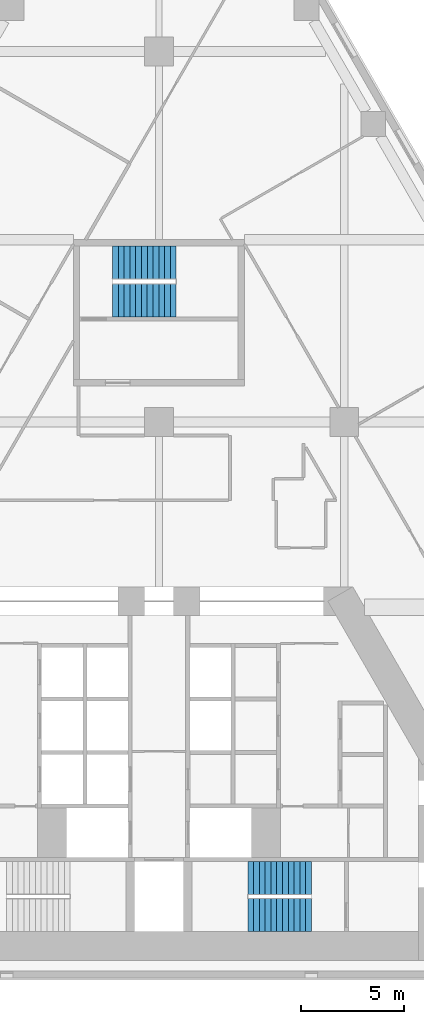
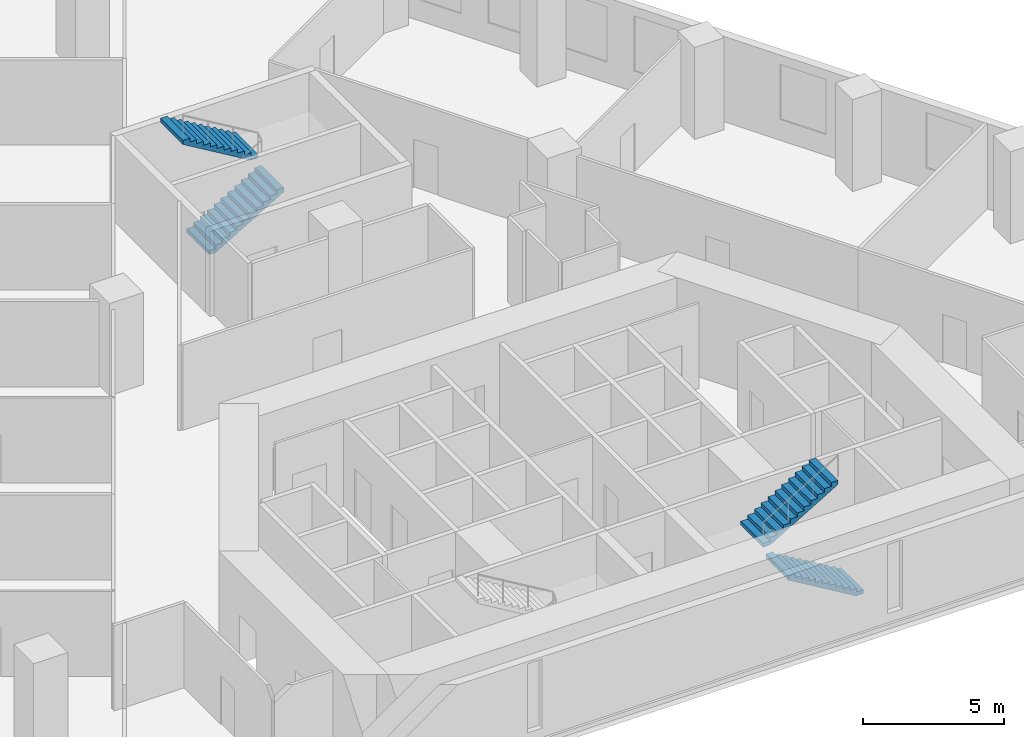
# One storey, part 8 of 9: 4 stair flights, 2 elements without a shape of their own.
"""IFC4 building model written with IfcOpenShell, lengths in metres."""

from ifc_helpers import new_model, si_unit, direction, frame, origin, place, context, subcontext, project, spatial, polyline, outline, extrude, material, type_object, element, aggregate, save


model = new_model("IFC4")

# Units and contexts
model_context = context("Model", 3, precision=1e-05, world=origin(), true_north=direction((0.0, 1.0)))
body_context = subcontext(model_context, "Body", "Model", "MODEL_VIEW")
ifc_project = project(units=[si_unit("LENGTHUNIT", "METRE"), si_unit("AREAUNIT", "SQUARE_METRE"), si_unit("VOLUMEUNIT", "CUBIC_METRE"), si_unit("PLANEANGLEUNIT", "RADIAN"), si_unit("MASSUNIT", "GRAM", prefix="KILO")], contexts=[model_context])

# Site, building, storey
site_placement = place(None, origin())
site = spatial("IfcSite", under=ifc_project, at=site_placement, CompositionType="ELEMENT")
building_placement = place(site_placement, origin())
building = spatial("IfcBuilding", under=site, at=building_placement, Name="Fogline Exchange Tower", CompositionType="ELEMENT")
storey_placement = place(building_placement, frame((0.0, 0.0, 76.89990234375)))
storey = spatial("IfcBuildingStorey", under=building, at=storey_placement, Name="L16", CompositionType="ELEMENT", Elevation=76.89990234375)

# Stair, stair flights
ifc_material = material(Name="Concrete C40", Category="concrete")
stair_type = type_object("IfcStairType", Name="STR24-1667", PredefinedType="HALF_TURN_STAIR", material=ifc_material)
stair_1_placement = place(storey_placement, origin())
stair_1 = element("IfcStair", 1, at=stair_1_placement, inside=storey, type_object=stair_type, Name="Stair ST2", PredefinedType="HALF_TURN_STAIR")
stair_flight_type = type_object("IfcStairFlightType", Name="SF12-1667", PredefinedType="STRAIGHT", material=ifc_material)
stair_flight_1_placement = place(storey_placement, frame((7.39990234375, 3.050048828125, 0.0), z_axis=(0.0, 0.0, 1.0), x_axis=(-1.0, 0.0, 0.0)))
stair_flight_1 = element("IfcStairFlight", 2, at=stair_flight_1_placement, type_object=stair_flight_type, Name="ST2 flight 1", NumberOfRisers=12, NumberOfTreads=11, PredefinedType="STRAIGHT", RiserHeight=0.166666667, TreadLength=0.28, context=body_context, shape_type="SweptSolid", body=[
    extrude(outline(polyline([(0.0, 0.0), (0.0, 0.166748046875), (0.280029296875, 0.166748046875), (0.280029296875, 0.333251953125), (0.56005859375, 0.333251953125), (0.56005859375, 0.5), (0.840087890625, 0.5), (0.840087890625, 0.666748046875), (1.1201171875, 0.666748046875), (1.1201171875, 0.833251953125), (1.39990234375, 0.833251953125), (1.39990234375, 1.0), (1.679931640625, 1.0), (1.679931640625, 1.166748046875), (1.9599609375, 1.166748046875), (1.9599609375, 1.333251953125), (2.239990234375, 1.333251953125), (2.239990234375, 1.5), (2.52001953125, 1.5), (2.52001953125, 1.666748046875), (2.800048828125, 1.666748046875), (2.800048828125, 1.833251953125), (3.080078125, 1.833251953125), (3.080078125, 2.0), (3.080078125, 1.658935546875), (0.29296875, 0.0), (0.0, 0.0)])), frame((0.0, 0.800048828125, 0.0), z_axis=(0.0, -1.0, 0.0), x_axis=(1.0, 0.0, 0.0)), (0.0, 0.0, 1.0), 1.60009765625),
])
stair_flight_2_placement = place(storey_placement, frame((4.320068359375, 4.85009765625, 2.0), z_axis=(0.0, 0.0, 1.0), x_axis=(1.0, 0.0, 0.0)))
stair_flight_2 = element("IfcStairFlight", 3, at=stair_flight_2_placement, type_object=stair_flight_type, Name="ST2 flight 2", NumberOfRisers=12, NumberOfTreads=11, PredefinedType="STRAIGHT", RiserHeight=0.166666667, TreadLength=0.28, context=body_context, shape_type="SweptSolid", body=[
    extrude(outline(polyline([(0.0, 0.0), (0.0, 0.166748046875), (0.280029296875, 0.166748046875), (0.280029296875, 0.333251953125), (0.56005859375, 0.333251953125), (0.56005859375, 0.5), (0.840087890625, 0.5), (0.840087890625, 0.666748046875), (1.1201171875, 0.666748046875), (1.1201171875, 0.833251953125), (1.39990234375, 0.833251953125), (1.39990234375, 1.0), (1.679931640625, 1.0), (1.679931640625, 1.166748046875), (1.9599609375, 1.166748046875), (1.9599609375, 1.333251953125), (2.239990234375, 1.333251953125), (2.239990234375, 1.5), (2.52001953125, 1.5), (2.52001953125, 1.666748046875), (2.800048828125, 1.666748046875), (2.800048828125, 1.833251953125), (3.080078125, 1.833251953125), (3.080078125, 2.0), (3.080078125, 1.658935546875), (0.29296875, 0.0), (0.0, 0.0)])), frame((0.0, 0.800048828125, 0.0), z_axis=(0.0, -1.0, 0.0), x_axis=(1.0, 0.0, 0.0)), (0.0, 0.0, 1.0), 1.60009765625),
])
aggregate(stair_1, [stair_flight_1, stair_flight_2])

stair_2_placement = place(storey_placement, origin())
stair_2 = element("IfcStair", 4, at=stair_2_placement, inside=storey, type_object=stair_type, Name="Stair ST3", PredefinedType="HALF_TURN_STAIR")
stair_flight_3_placement = place(storey_placement, frame((-2.25, 32.906982421875, 0.0), z_axis=(0.0, 0.0, 1.0), x_axis=(1.0, 0.0, 0.0)))
stair_flight_3 = element("IfcStairFlight", 5, at=stair_flight_3_placement, type_object=stair_flight_type, Name="ST3 flight 1", NumberOfRisers=12, NumberOfTreads=11, PredefinedType="STRAIGHT", RiserHeight=0.166666667, TreadLength=0.28, context=body_context, shape_type="SweptSolid", body=[
    extrude(outline(polyline([(0.0, 0.0), (0.0, 0.166748046875), (0.280029296875, 0.166748046875), (0.280029296875, 0.333251953125), (0.56005859375, 0.333251953125), (0.56005859375, 0.5), (0.840087890625, 0.5), (0.840087890625, 0.666748046875), (1.1201171875, 0.666748046875), (1.1201171875, 0.833251953125), (1.39990234375, 0.833251953125), (1.39990234375, 1.0), (1.679931640625, 1.0), (1.679931640625, 1.166748046875), (1.9599609375, 1.166748046875), (1.9599609375, 1.333251953125), (2.239990234375, 1.333251953125), (2.239990234375, 1.5), (2.52001953125, 1.5), (2.52001953125, 1.666748046875), (2.800048828125, 1.666748046875), (2.800048828125, 1.833251953125), (3.080078125, 1.833251953125), (3.080078125, 2.0), (3.080078125, 1.658935546875), (0.29296875, 0.0), (0.0, 0.0)])), frame((0.0, 0.800048828125, 0.0), z_axis=(0.0, -1.0, 0.0), x_axis=(1.0, 0.0, 0.0)), (0.0, 0.0, 1.0), 1.60009765625),
])
stair_flight_4_placement = place(storey_placement, frame((0.830078125, 34.757080078125, 2.0), z_axis=(0.0, 0.0, 1.0), x_axis=(-1.0, 0.0, 0.0)))
stair_flight_4 = element("IfcStairFlight", 6, at=stair_flight_4_placement, type_object=stair_flight_type, Name="ST3 flight 2", NumberOfRisers=12, NumberOfTreads=11, PredefinedType="STRAIGHT", RiserHeight=0.166666667, TreadLength=0.28, context=body_context, shape_type="SweptSolid", body=[
    extrude(outline(polyline([(0.0, 0.0), (0.0, 0.166748046875), (0.280029296875, 0.166748046875), (0.280029296875, 0.333251953125), (0.56005859375, 0.333251953125), (0.56005859375, 0.5), (0.840087890625, 0.5), (0.840087890625, 0.666748046875), (1.1201171875, 0.666748046875), (1.1201171875, 0.833251953125), (1.39990234375, 0.833251953125), (1.39990234375, 1.0), (1.679931640625, 1.0), (1.679931640625, 1.166748046875), (1.9599609375, 1.166748046875), (1.9599609375, 1.333251953125), (2.239990234375, 1.333251953125), (2.239990234375, 1.5), (2.52001953125, 1.5), (2.52001953125, 1.666748046875), (2.800048828125, 1.666748046875), (2.800048828125, 1.833251953125), (3.080078125, 1.833251953125), (3.080078125, 2.0), (3.080078125, 1.658935546875), (0.29296875, 0.0), (0.0, 0.0)])), frame((0.0, 0.800048828125, 0.0), z_axis=(0.0, -1.0, 0.0), x_axis=(1.0, 0.0, 0.0)), (0.0, 0.0, 1.0), 1.60009765625),
])
aggregate(stair_2, [stair_flight_3, stair_flight_4])

save(model, "model.ifc")
